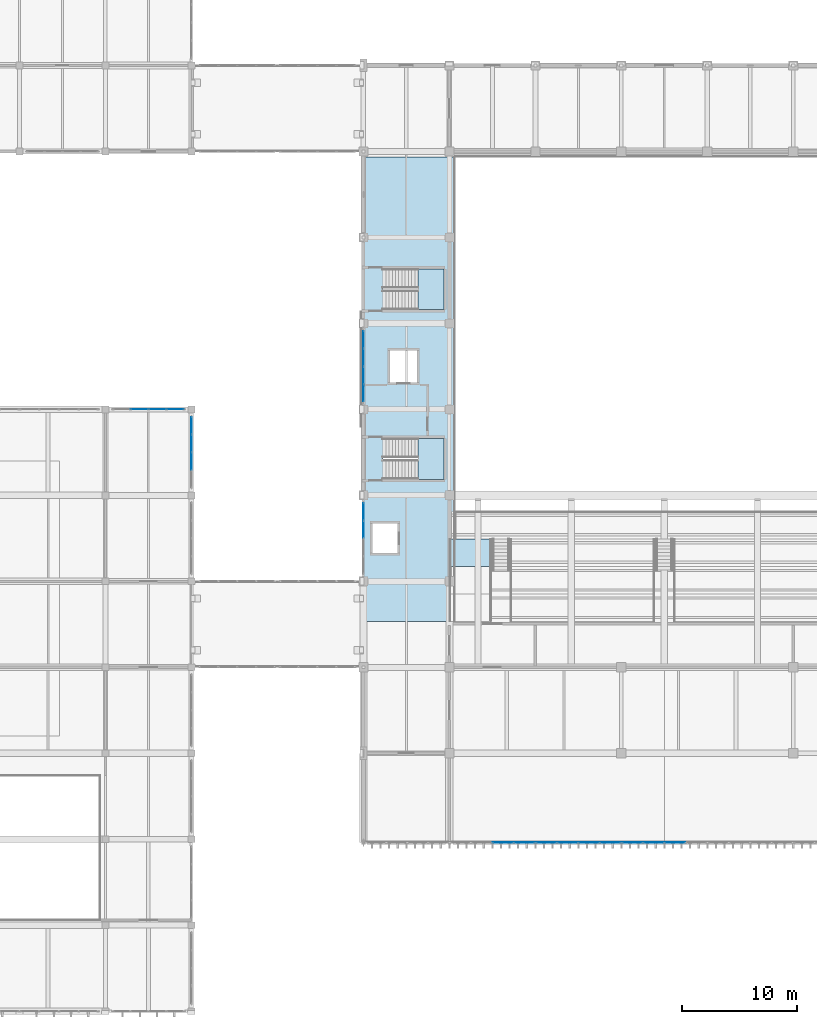
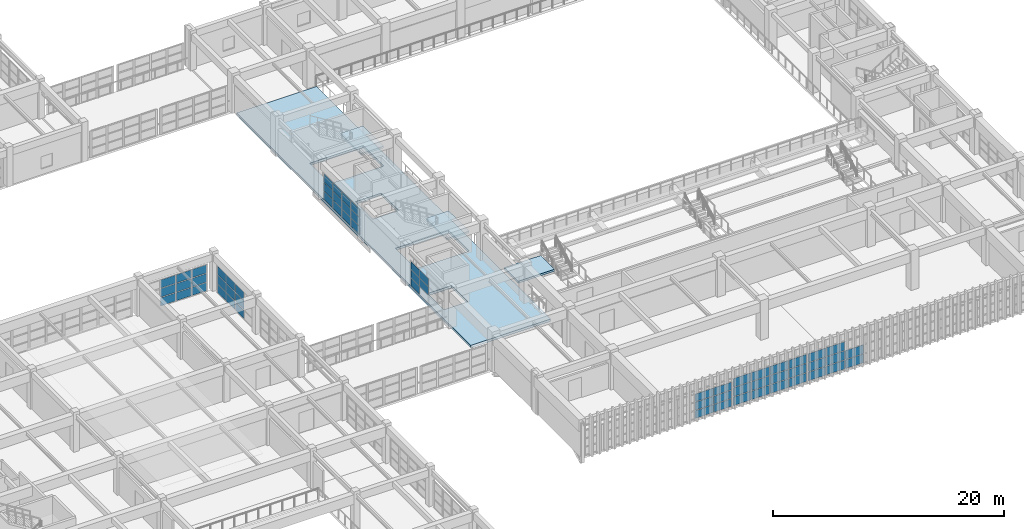
# One storey, part 80 of 124: 61 plates, 4 slabs, 9 elements without a shape of their own.
"""IFC4 building model written with IfcOpenShell, lengths in metres."""

import ifcopenshell
import ifcopenshell.guid

model = None  # the IFC model being written
_history = None  # IfcOwnerHistory: only IFC2X3 demands one
_inside = {}  # id of a spatial element -> (the spatial element, [elements in it])
_under = {}  # id of a project, library or spatial element -> (it, [spatial elements below it])
_declared = {}  # id of a project -> (the project, [libraries it declares])
_typed = {}  # id of a type object -> (the type object, [elements of that type])
_made_of = {}  # id of a material, layer set ... -> (it, [elements and type objects made of it])


def new_model(schema):
    """Start an empty IFC model of exactly this schema.

    Asked for "IFC4X3", IfcOpenShell would pick the latest addendum, in which some entities
    have other attributes; the version numbers below select the first issue.
    IFC2X3 requires an IfcOwnerHistory on every rooted entity: one is made here for all.
    """
    global model, _history
    if schema == "IFC4X3":
        model = ifcopenshell.file(schema_version=(4, 3, 0, 0))
    else:
        model = ifcopenshell.file(schema=schema)
    _inside.clear()
    _under.clear()
    _declared.clear()
    _typed.clear()
    _made_of.clear()
    _history = None
    if model.schema == "IFC2X3":
        org = make("IfcOrganization", Name="unknown")
        user = make(
            "IfcPersonAndOrganization",
            ThePerson=make("IfcPerson", FamilyName="unknown"),
            TheOrganization=org,
        )
        app = make(
            "IfcApplication",
            ApplicationDeveloper=org,
            Version="unknown",
            ApplicationFullName="unknown",
            ApplicationIdentifier="unknown",
        )
        _history = make(
            "IfcOwnerHistory",
            OwningUser=user,
            OwningApplication=app,
            ChangeAction="ADDED",
            CreationDate=0,
        )
    return model


def make(cls, **values):
    """One entity of the class cls with the attributes given. An attribute that is None is left unset."""
    return model.create_entity(
        cls, **{name: value for name, value in values.items() if value is not None}
    )


def rooted(cls, **values):
    """An entity with a GlobalId (a new one), such as an element, a storey or a relation."""
    return make(cls, GlobalId=ifcopenshell.guid.new(), OwnerHistory=_history, **values)


def si_unit(unit_type, name, prefix=None):
    """IfcSIUnit, for example si_unit("LENGTHUNIT", "METRE", prefix="MILLI")."""
    return make("IfcSIUnit", UnitType=unit_type, Prefix=prefix, Name=name)


def assignment(units):
    """IfcUnitAssignment: the units of a project."""
    return None if units is None else make("IfcUnitAssignment", Units=units)


def point(xyz):
    """IfcCartesianPoint."""
    return None if xyz is None else make("IfcCartesianPoint", Coordinates=xyz)


def direction(xyz):
    """IfcDirection."""
    return None if xyz is None else make("IfcDirection", DirectionRatios=xyz)


def frame(location, z_axis=None, x_axis=None):
    """IfcAxis2Placement3D, a coordinate frame: its origin and axes. An axis left out is left unset."""
    return make(
        "IfcAxis2Placement3D",
        Location=point(location),
        Axis=direction(z_axis),
        RefDirection=direction(x_axis),
    )


def frame_2d(location, x_axis=None):
    """IfcAxis2Placement2D, a coordinate frame in the plane: its origin and x axis."""
    return make(
        "IfcAxis2Placement2D", Location=point(location), RefDirection=direction(x_axis)
    )


def origin():
    """The frame at (0, 0, 0) with its axes left unset."""
    return frame((0.0, 0.0, 0.0))


def origin_2d():
    """The frame at (0, 0) in the plane with its x axis left unset."""
    return frame_2d((0.0, 0.0))


def place(relative_to, where):
    """IfcLocalPlacement: puts the frame where relative to a parent placement (None: the world)."""
    return make(
        "IfcLocalPlacement", PlacementRelTo=relative_to, RelativePlacement=where
    )


def context(
    kind, dimensions, precision=None, world=None, true_north=None, identifier=None
):
    """IfcGeometricRepresentationContext, for example the 3D "Model" context."""
    return make(
        "IfcGeometricRepresentationContext",
        ContextIdentifier=identifier,
        ContextType=kind,
        CoordinateSpaceDimension=dimensions,
        Precision=precision,
        WorldCoordinateSystem=world,
        TrueNorth=true_north,
    )


def subcontext(parent, identifier, kind, view, scale=None):
    """IfcGeometricRepresentationSubContext, for example "Body" below "Model"."""
    return make(
        "IfcGeometricRepresentationSubContext",
        ContextIdentifier=identifier,
        ContextType=kind,
        ParentContext=parent,
        TargetScale=scale,
        TargetView=view,
    )


def project(units=None, contexts=None):
    """IfcProject with its units and contexts."""
    return rooted(
        "IfcProject",
        Name="project",
        RepresentationContexts=contexts,
        UnitsInContext=assignment(units),
    )


def spatial(cls, under=None, at=None, **own):
    """A site, building, storey or space (cls), placed at a placement, below another one or the project."""
    s = rooted(cls, ObjectPlacement=at, **own)
    if under is not None:
        _under.setdefault(under.id(), (under, []))[1].append(s)
    return s


def polyline(points):
    """IfcPolyline through the points."""
    return make("IfcPolyline", Points=[point(p) for p in points])


def profile(cls, at=None, kind="AREA", **sizes):
    """A parametric profile (cls). Its sizes go by their IFC names, for example OverallWidth=200.0."""
    return make(cls, ProfileType=kind, Position=at, **sizes)


def rectangle(**sizes):
    """IfcRectangleProfileDef."""
    return profile("IfcRectangleProfileDef", **sizes)


def outline(outer, holes=None, kind="AREA"):
    """IfcArbitraryClosedProfileDef: a profile drawn as a closed curve; with holes, ...WithVoids."""
    if holes is None:
        return make("IfcArbitraryClosedProfileDef", ProfileType=kind, OuterCurve=outer)
    return make(
        "IfcArbitraryProfileDefWithVoids",
        ProfileType=kind,
        OuterCurve=outer,
        InnerCurves=holes,
    )


def extrude(swept, where, along, depth):
    """IfcExtrudedAreaSolid: the profile swept, set in the frame where, extruded along a direction by depth."""
    return make(
        "IfcExtrudedAreaSolid",
        SweptArea=swept,
        Position=where,
        ExtrudedDirection=direction(along),
        Depth=depth,
    )


def shape(context_of_items, identifier, shape_type, items):
    """IfcShapeRepresentation: the items that make up one representation, for example the "Body"."""
    return make(
        "IfcShapeRepresentation",
        ContextOfItems=context_of_items,
        RepresentationIdentifier=identifier,
        RepresentationType=shape_type,
        Items=items,
    )


def material(Name=None, Category=None):
    """IfcMaterial."""
    return make("IfcMaterial", Name=Name, Category=Category)


def layer(
    of_material, thickness, ventilated=None, Name=None, Category=None, Priority=None
):
    """IfcMaterialLayer: one layer of a wall or slab, of a material (None: an air gap)."""
    return make(
        "IfcMaterialLayer",
        Material=of_material,
        LayerThickness=thickness,
        IsVentilated=ventilated,
        Name=Name,
        Category=Category,
        Priority=Priority,
    )


def layer_set(layers, Name=None):
    """IfcMaterialLayerSet."""
    return make("IfcMaterialLayerSet", MaterialLayers=layers, LayerSetName=Name)


def made_of(thing, what):
    """Note that an element or type object is made of a material, layer set ...; save() writes the relation."""
    if what is not None:
        _made_of.setdefault(what.id(), (what, []))[1].append(thing)
    return thing


def type_object(cls, material=None, **own):
    """A type object (cls), such as IfcWallType, which elements share."""
    return made_of(rooted(cls, **own), material)


def element(
    cls,
    number,
    at=None,
    inside=None,
    cuts=None,
    type_object=None,
    material=None,
    context=None,
    identifier="Body",
    shape_type=None,
    held_by="IfcProductDefinitionShape",
    body=None,
    shapes=None,
    **own,
):
    """One element of the class cls, such as IfcWall. Its Tag is "e" and its number.

    at: its placement. inside: the storey or other place that contains it. cuts: it is an
    opening in that element (IfcRelVoidsElement). A single representation is given by context,
    identifier, shape_type and body (its items); several are given by shapes. held_by: the class
    of the entity that holds the representations. save() writes the other relations.
    """
    e = rooted(cls, Tag="e%d" % number, ObjectPlacement=at, **own)
    if body is not None:
        shapes = [shape(context, identifier, shape_type, body)]
    if shapes is not None:
        e.Representation = make(held_by, Representations=shapes)
    if inside is not None:
        _inside.setdefault(inside.id(), (inside, []))[1].append(e)
    if cuts is not None:
        rooted(
            "IfcRelVoidsElement", RelatingBuildingElement=cuts, RelatedOpeningElement=e
        )
    if type_object is not None:
        _typed.setdefault(type_object.id(), (type_object, []))[1].append(e)
    return made_of(e, material)


def aggregate(whole, parts):
    """IfcRelAggregates: a whole, such as a stair, and the parts it consists of."""
    return rooted("IfcRelAggregates", RelatingObject=whole, RelatedObjects=parts)


def save(model, path):
    """Write the relations noted so far, then the file.

    IfcRelAggregates (storeys below a building ...), IfcRelContainedInSpatialStructure (elements
    in a storey), IfcRelDefinesByType, IfcRelAssociatesMaterial and IfcRelDeclares: one each for
    every whole, place, type object, material and project.
    """
    for whole, parts in _under.values():
        aggregate(whole, parts)
    for where, things in _inside.values():
        rooted(
            "IfcRelContainedInSpatialStructure",
            RelatedElements=things,
            RelatingStructure=where,
        )
    for kind, things in _typed.values():
        rooted("IfcRelDefinesByType", RelatedObjects=things, RelatingType=kind)
    for what, things in _made_of.values():
        rooted("IfcRelAssociatesMaterial", RelatedObjects=things, RelatingMaterial=what)
    for by, libraries in _declared.values():
        rooted("IfcRelDeclares", RelatingContext=by, RelatedDefinitions=libraries)
    model.write(path)


model = new_model("IFC4")

# Units and contexts
model_context = context("Model", 3, precision=1e-05, world=origin(), true_north=direction((0.0, 1.0)))
body_context = subcontext(model_context, "Body", "Model", "MODEL_VIEW")
ifc_project = project(units=[si_unit("LENGTHUNIT", "METRE"), si_unit("AREAUNIT", "SQUARE_METRE"), si_unit("VOLUMEUNIT", "CUBIC_METRE"), si_unit("PLANEANGLEUNIT", "RADIAN"), si_unit("MASSUNIT", "GRAM", prefix="KILO")], contexts=[model_context])

# Site, building, storey
site_placement = place(None, origin())
site = spatial("IfcSite", under=ifc_project, at=site_placement, CompositionType="ELEMENT")
building_placement = place(site_placement, origin())
building = spatial("IfcBuilding", under=site, at=building_placement, Name="Qasida Concert Hall", CompositionType="ELEMENT")
storey_placement = place(building_placement, frame((0.0, 0.0, 9.0)))
storey = spatial("IfcBuildingStorey", under=building, at=storey_placement, Name="L02", CompositionType="ELEMENT", Elevation=9.0)

# Curtain wall, plates
ifc_material_1 = material(Name="Architectural bronze-anodized aluminium and low-E glass", Category="aluminium")
curtain_wall_type_1 = type_object("IfcCurtainWallType", Name="CW-03", PredefinedType="NOTDEFINED", material=ifc_material_1)
curtain_wall_1_placement = place(storey_placement, origin())
curtain_wall_1 = element("IfcCurtainWall", 1, at=curtain_wall_1_placement, inside=storey, type_object=curtain_wall_type_1, Name="L02 curtain wall CW-03 0009", PredefinedType="NOTDEFINED")
ifc_material_2 = material(Name="Solar-control low-E double glazing", Category="glass")
ifc_layer_1 = layer(ifc_material_2, 0.031982421875, Name="Solar-control low-E double glazing")
ifc_layer_set_1 = layer_set([ifc_layer_1], Name="Solar-control low-E double glazing")
plate_type_1 = type_object("IfcPlateType", Name="PLT-CWP-2", PredefinedType="CURTAIN_PANEL", material=ifc_layer_set_1)
plate_1_placement = place(storey_placement, frame((64.6826171875, 14.699951171875, 0.06005859375), z_axis=(0.0, 0.0, 1.0), x_axis=(1.0, 0.0, 0.0)))
plate_1 = element("IfcPlate", 2, at=plate_1_placement, type_object=plate_type_1, Name="CW-03 panel 3.1", PredefinedType="CURTAIN_PANEL", context=body_context, shape_type="SweptSolid", body=[
    extrude(rectangle(XDim=1.800048828125, YDim=0.031982421875, at=origin_2d()), origin(), (0.0, 0.0, 1.0), 0.806640625),
])
plate_2_placement = place(storey_placement, frame((64.6826171875, 14.699951171875, 0.9267578125), z_axis=(0.0, 0.0, 1.0), x_axis=(1.0, 0.0, 0.0)))
plate_2 = element("IfcPlate", 3, at=plate_2_placement, type_object=plate_type_1, Name="CW-03 panel 3.2", PredefinedType="CURTAIN_PANEL", context=body_context, shape_type="SweptSolid", body=[
    extrude(rectangle(XDim=1.800048828125, YDim=0.031982421875, at=origin_2d()), origin(), (0.0, 0.0, 1.0), 0.836669921875),
])
plate_3_placement = place(storey_placement, frame((64.6826171875, 14.699951171875, 1.8232421875), z_axis=(0.0, 0.0, 1.0), x_axis=(1.0, 0.0, 0.0)))
plate_3 = element("IfcPlate", 4, at=plate_3_placement, type_object=plate_type_1, Name="CW-03 panel 3.3", PredefinedType="CURTAIN_PANEL", context=body_context, shape_type="SweptSolid", body=[
    extrude(rectangle(XDim=1.800048828125, YDim=0.031982421875, at=origin_2d()), origin(), (0.0, 0.0, 1.0), 0.806640625),
])
plate_4_placement = place(storey_placement, frame((66.53125, 14.699951171875, 0.06005859375), z_axis=(0.0, 0.0, 1.0), x_axis=(1.0, 0.0, 0.0)))
plate_4 = element("IfcPlate", 5, at=plate_4_placement, type_object=plate_type_1, Name="CW-03 panel 4.1", PredefinedType="CURTAIN_PANEL", context=body_context, shape_type="SweptSolid", body=[
    extrude(rectangle(XDim=1.767578125, YDim=0.031982421875, at=origin_2d()), origin(), (0.0, 0.0, 1.0), 0.806640625),
])
plate_5_placement = place(storey_placement, frame((66.53125, 14.699951171875, 0.9267578125), z_axis=(0.0, 0.0, 1.0), x_axis=(1.0, 0.0, 0.0)))
plate_5 = element("IfcPlate", 6, at=plate_5_placement, type_object=plate_type_1, Name="CW-03 panel 4.2", PredefinedType="CURTAIN_PANEL", context=body_context, shape_type="SweptSolid", body=[
    extrude(rectangle(XDim=1.767578125, YDim=0.031982421875, at=origin_2d()), origin(), (0.0, 0.0, 1.0), 0.836669921875),
])
plate_6_placement = place(storey_placement, frame((66.53125, 14.699951171875, 1.8232421875), z_axis=(0.0, 0.0, 1.0), x_axis=(1.0, 0.0, 0.0)))
plate_6 = element("IfcPlate", 7, at=plate_6_placement, type_object=plate_type_1, Name="CW-03 panel 4.3", PredefinedType="CURTAIN_PANEL", context=body_context, shape_type="SweptSolid", body=[
    extrude(rectangle(XDim=1.767578125, YDim=0.031982421875, at=origin_2d()), origin(), (0.0, 0.0, 1.0), 0.806640625),
])
aggregate(curtain_wall_1, [plate_1, plate_2, plate_3, plate_4, plate_5, plate_6])

curtain_wall_2_placement = place(storey_placement, origin())
curtain_wall_2 = element("IfcCurtainWall", 8, at=curtain_wall_2_placement, inside=storey, type_object=curtain_wall_type_1, Name="L02 curtain wall CW-03 0010", PredefinedType="NOTDEFINED")
plate_7_placement = place(storey_placement, frame((68.46875, 14.699951171875, 0.06005859375), z_axis=(0.0, 0.0, 1.0), x_axis=(1.0, 0.0, 0.0)))
plate_7 = element("IfcPlate", 9, at=plate_7_placement, type_object=plate_type_1, Name="CW-03 panel 1.1", PredefinedType="CURTAIN_PANEL", context=body_context, shape_type="SweptSolid", body=[
    extrude(rectangle(XDim=1.767578125, YDim=0.031982421875, at=origin_2d()), origin(), (0.0, 0.0, 1.0), 0.90673828125),
])
plate_8_placement = place(storey_placement, frame((68.46875, 14.699951171875, 1.02685546875), z_axis=(0.0, 0.0, 1.0), x_axis=(1.0, 0.0, 0.0)))
plate_8 = element("IfcPlate", 10, at=plate_8_placement, type_object=plate_type_1, Name="CW-03 panel 1.2", PredefinedType="CURTAIN_PANEL", context=body_context, shape_type="SweptSolid", body=[
    extrude(rectangle(XDim=1.767578125, YDim=0.031982421875, at=origin_2d()), origin(), (0.0, 0.0, 1.0), 0.9365234375),
])
plate_9_placement = place(storey_placement, frame((68.46875, 14.699951171875, 2.023193359375), z_axis=(0.0, 0.0, 1.0), x_axis=(1.0, 0.0, 0.0)))
plate_9 = element("IfcPlate", 11, at=plate_9_placement, type_object=plate_type_1, Name="CW-03 panel 1.3", PredefinedType="CURTAIN_PANEL", context=body_context, shape_type="SweptSolid", body=[
    extrude(rectangle(XDim=1.767578125, YDim=0.031982421875, at=origin_2d()), origin(), (0.0, 0.0, 1.0), 0.90673828125),
])
plate_10_placement = place(storey_placement, frame((70.3173828125, 14.699951171875, 0.06005859375), z_axis=(0.0, 0.0, 1.0), x_axis=(1.0, 0.0, 0.0)))
plate_10 = element("IfcPlate", 12, at=plate_10_placement, type_object=plate_type_1, Name="CW-03 panel 2.1", PredefinedType="CURTAIN_PANEL", context=body_context, shape_type="SweptSolid", body=[
    extrude(rectangle(XDim=1.800048828125, YDim=0.031982421875, at=origin_2d()), origin(), (0.0, 0.0, 1.0), 0.90673828125),
])
plate_11_placement = place(storey_placement, frame((70.3173828125, 14.699951171875, 1.02685546875), z_axis=(0.0, 0.0, 1.0), x_axis=(1.0, 0.0, 0.0)))
plate_11 = element("IfcPlate", 13, at=plate_11_placement, type_object=plate_type_1, Name="CW-03 panel 2.2", PredefinedType="CURTAIN_PANEL", context=body_context, shape_type="SweptSolid", body=[
    extrude(rectangle(XDim=1.800048828125, YDim=0.031982421875, at=origin_2d()), origin(), (0.0, 0.0, 1.0), 0.9365234375),
])
plate_12_placement = place(storey_placement, frame((70.3173828125, 14.699951171875, 2.023193359375), z_axis=(0.0, 0.0, 1.0), x_axis=(1.0, 0.0, 0.0)))
plate_12 = element("IfcPlate", 14, at=plate_12_placement, type_object=plate_type_1, Name="CW-03 panel 2.3", PredefinedType="CURTAIN_PANEL", context=body_context, shape_type="SweptSolid", body=[
    extrude(rectangle(XDim=1.800048828125, YDim=0.031982421875, at=origin_2d()), origin(), (0.0, 0.0, 1.0), 0.90673828125),
])
plate_13_placement = place(storey_placement, frame((72.1826171875, 14.699951171875, 0.06005859375), z_axis=(0.0, 0.0, 1.0), x_axis=(1.0, 0.0, 0.0)))
plate_13 = element("IfcPlate", 15, at=plate_13_placement, type_object=plate_type_1, Name="CW-03 panel 3.1", PredefinedType="CURTAIN_PANEL", context=body_context, shape_type="SweptSolid", body=[
    extrude(rectangle(XDim=1.800048828125, YDim=0.031982421875, at=origin_2d()), origin(), (0.0, 0.0, 1.0), 0.90673828125),
])
plate_14_placement = place(storey_placement, frame((72.1826171875, 14.699951171875, 1.02685546875), z_axis=(0.0, 0.0, 1.0), x_axis=(1.0, 0.0, 0.0)))
plate_14 = element("IfcPlate", 16, at=plate_14_placement, type_object=plate_type_1, Name="CW-03 panel 3.2", PredefinedType="CURTAIN_PANEL", context=body_context, shape_type="SweptSolid", body=[
    extrude(rectangle(XDim=1.800048828125, YDim=0.031982421875, at=origin_2d()), origin(), (0.0, 0.0, 1.0), 0.9365234375),
])
plate_15_placement = place(storey_placement, frame((72.1826171875, 14.699951171875, 2.023193359375), z_axis=(0.0, 0.0, 1.0), x_axis=(1.0, 0.0, 0.0)))
plate_15 = element("IfcPlate", 17, at=plate_15_placement, type_object=plate_type_1, Name="CW-03 panel 3.3", PredefinedType="CURTAIN_PANEL", context=body_context, shape_type="SweptSolid", body=[
    extrude(rectangle(XDim=1.800048828125, YDim=0.031982421875, at=origin_2d()), origin(), (0.0, 0.0, 1.0), 0.90673828125),
])
plate_16_placement = place(storey_placement, frame((74.03125, 14.699951171875, 0.06005859375), z_axis=(0.0, 0.0, 1.0), x_axis=(1.0, 0.0, 0.0)))
plate_16 = element("IfcPlate", 18, at=plate_16_placement, type_object=plate_type_1, Name="CW-03 panel 4.1", PredefinedType="CURTAIN_PANEL", context=body_context, shape_type="SweptSolid", body=[
    extrude(rectangle(XDim=1.767578125, YDim=0.031982421875, at=origin_2d()), origin(), (0.0, 0.0, 1.0), 0.90673828125),
])
plate_17_placement = place(storey_placement, frame((74.03125, 14.699951171875, 1.02685546875), z_axis=(0.0, 0.0, 1.0), x_axis=(1.0, 0.0, 0.0)))
plate_17 = element("IfcPlate", 19, at=plate_17_placement, type_object=plate_type_1, Name="CW-03 panel 4.2", PredefinedType="CURTAIN_PANEL", context=body_context, shape_type="SweptSolid", body=[
    extrude(rectangle(XDim=1.767578125, YDim=0.031982421875, at=origin_2d()), origin(), (0.0, 0.0, 1.0), 0.9365234375),
])
plate_18_placement = place(storey_placement, frame((74.03125, 14.699951171875, 2.023193359375), z_axis=(0.0, 0.0, 1.0), x_axis=(1.0, 0.0, 0.0)))
plate_18 = element("IfcPlate", 20, at=plate_18_placement, type_object=plate_type_1, Name="CW-03 panel 4.3", PredefinedType="CURTAIN_PANEL", context=body_context, shape_type="SweptSolid", body=[
    extrude(rectangle(XDim=1.767578125, YDim=0.031982421875, at=origin_2d()), origin(), (0.0, 0.0, 1.0), 0.90673828125),
])
aggregate(curtain_wall_2, [plate_7, plate_8, plate_9, plate_10, plate_11, plate_12, plate_13, plate_14, plate_15, plate_16, plate_17, plate_18])

curtain_wall_3_placement = place(storey_placement, origin())
curtain_wall_3 = element("IfcCurtainWall", 21, at=curtain_wall_3_placement, inside=storey, type_object=curtain_wall_type_1, Name="L02 curtain wall CW-03 0011", PredefinedType="NOTDEFINED")
plate_19_placement = place(storey_placement, frame((75.96875, 14.699951171875, 0.06005859375), z_axis=(0.0, 0.0, 1.0), x_axis=(1.0, 0.0, 0.0)))
plate_19 = element("IfcPlate", 22, at=plate_19_placement, type_object=plate_type_1, Name="CW-03 panel 1.1", PredefinedType="CURTAIN_PANEL", context=body_context, shape_type="SweptSolid", body=[
    extrude(rectangle(XDim=1.767578125, YDim=0.031982421875, at=origin_2d()), origin(), (0.0, 0.0, 1.0), 0.90673828125),
])
plate_20_placement = place(storey_placement, frame((75.96875, 14.699951171875, 1.02685546875), z_axis=(0.0, 0.0, 1.0), x_axis=(1.0, 0.0, 0.0)))
plate_20 = element("IfcPlate", 23, at=plate_20_placement, type_object=plate_type_1, Name="CW-03 panel 1.2", PredefinedType="CURTAIN_PANEL", context=body_context, shape_type="SweptSolid", body=[
    extrude(rectangle(XDim=1.767578125, YDim=0.031982421875, at=origin_2d()), origin(), (0.0, 0.0, 1.0), 0.9365234375),
])
plate_21_placement = place(storey_placement, frame((75.96875, 14.699951171875, 2.023193359375), z_axis=(0.0, 0.0, 1.0), x_axis=(1.0, 0.0, 0.0)))
plate_21 = element("IfcPlate", 24, at=plate_21_placement, type_object=plate_type_1, Name="CW-03 panel 1.3", PredefinedType="CURTAIN_PANEL", context=body_context, shape_type="SweptSolid", body=[
    extrude(rectangle(XDim=1.767578125, YDim=0.031982421875, at=origin_2d()), origin(), (0.0, 0.0, 1.0), 0.90673828125),
])
plate_22_placement = place(storey_placement, frame((77.8173828125, 14.699951171875, 0.06005859375), z_axis=(0.0, 0.0, 1.0), x_axis=(1.0, 0.0, 0.0)))
plate_22 = element("IfcPlate", 25, at=plate_22_placement, type_object=plate_type_1, Name="CW-03 panel 2.1", PredefinedType="CURTAIN_PANEL", context=body_context, shape_type="SweptSolid", body=[
    extrude(rectangle(XDim=1.800048828125, YDim=0.031982421875, at=origin_2d()), origin(), (0.0, 0.0, 1.0), 0.90673828125),
])
plate_23_placement = place(storey_placement, frame((77.8173828125, 14.699951171875, 1.02685546875), z_axis=(0.0, 0.0, 1.0), x_axis=(1.0, 0.0, 0.0)))
plate_23 = element("IfcPlate", 26, at=plate_23_placement, type_object=plate_type_1, Name="CW-03 panel 2.2", PredefinedType="CURTAIN_PANEL", context=body_context, shape_type="SweptSolid", body=[
    extrude(rectangle(XDim=1.800048828125, YDim=0.031982421875, at=origin_2d()), origin(), (0.0, 0.0, 1.0), 0.9365234375),
])
plate_24_placement = place(storey_placement, frame((77.8173828125, 14.699951171875, 2.023193359375), z_axis=(0.0, 0.0, 1.0), x_axis=(1.0, 0.0, 0.0)))
plate_24 = element("IfcPlate", 27, at=plate_24_placement, type_object=plate_type_1, Name="CW-03 panel 2.3", PredefinedType="CURTAIN_PANEL", context=body_context, shape_type="SweptSolid", body=[
    extrude(rectangle(XDim=1.800048828125, YDim=0.031982421875, at=origin_2d()), origin(), (0.0, 0.0, 1.0), 0.90673828125),
])
plate_25_placement = place(storey_placement, frame((79.6826171875, 14.699951171875, 0.06005859375), z_axis=(0.0, 0.0, 1.0), x_axis=(1.0, 0.0, 0.0)))
plate_25 = element("IfcPlate", 28, at=plate_25_placement, type_object=plate_type_1, Name="CW-03 panel 3.1", PredefinedType="CURTAIN_PANEL", context=body_context, shape_type="SweptSolid", body=[
    extrude(rectangle(XDim=1.800048828125, YDim=0.031982421875, at=origin_2d()), origin(), (0.0, 0.0, 1.0), 0.90673828125),
])
plate_26_placement = place(storey_placement, frame((79.6826171875, 14.699951171875, 1.02685546875), z_axis=(0.0, 0.0, 1.0), x_axis=(1.0, 0.0, 0.0)))
plate_26 = element("IfcPlate", 29, at=plate_26_placement, type_object=plate_type_1, Name="CW-03 panel 3.2", PredefinedType="CURTAIN_PANEL", context=body_context, shape_type="SweptSolid", body=[
    extrude(rectangle(XDim=1.800048828125, YDim=0.031982421875, at=origin_2d()), origin(), (0.0, 0.0, 1.0), 0.9365234375),
])
aggregate(curtain_wall_3, [plate_19, plate_20, plate_21, plate_22, plate_23, plate_24, plate_25, plate_26])

curtain_wall_4_placement = place(storey_placement, origin())
curtain_wall_4 = element("IfcCurtainWall", 30, at=curtain_wall_4_placement, inside=storey, type_object=curtain_wall_type_1, Name="L02 curtain wall CW-03 0047", PredefinedType="NOTDEFINED")
plate_27_placement = place(storey_placement, frame((52.5, 42.032470703125, 0.9267578125), z_axis=(0.0, 0.0, 1.0), x_axis=(0.0, 1.0, 0.0)))
plate_27 = element("IfcPlate", 31, at=plate_27_placement, type_object=plate_type_1, Name="CW-03 panel 3.2", PredefinedType="CURTAIN_PANEL", context=body_context, shape_type="SweptSolid", body=[
    extrude(rectangle(XDim=1.5, YDim=0.031982421875, at=origin_2d()), origin(), (0.0, 0.0, 1.0), 0.836669921875),
])
plate_28_placement = place(storey_placement, frame((52.5, 42.032470703125, 1.8232421875), z_axis=(0.0, 0.0, 1.0), x_axis=(0.0, 1.0, 0.0)))
plate_28 = element("IfcPlate", 32, at=plate_28_placement, type_object=plate_type_1, Name="CW-03 panel 3.3", PredefinedType="CURTAIN_PANEL", context=body_context, shape_type="SweptSolid", body=[
    extrude(rectangle(XDim=1.5, YDim=0.031982421875, at=origin_2d()), origin(), (0.0, 0.0, 1.0), 0.806640625),
])
plate_29_placement = place(storey_placement, frame((52.5, 43.581298828125, 0.06005859375), z_axis=(0.0, 0.0, 1.0), x_axis=(0.0, 1.0, 0.0)))
plate_29 = element("IfcPlate", 33, at=plate_29_placement, type_object=plate_type_1, Name="CW-03 panel 4.1", PredefinedType="CURTAIN_PANEL", context=body_context, shape_type="SweptSolid", body=[
    extrude(rectangle(XDim=1.467529296875, YDim=0.031982421875, at=origin_2d()), origin(), (0.0, 0.0, 1.0), 0.806640625),
])
plate_30_placement = place(storey_placement, frame((52.5, 43.581298828125, 0.9267578125), z_axis=(0.0, 0.0, 1.0), x_axis=(0.0, 1.0, 0.0)))
plate_30 = element("IfcPlate", 34, at=plate_30_placement, type_object=plate_type_1, Name="CW-03 panel 4.2", PredefinedType="CURTAIN_PANEL", context=body_context, shape_type="SweptSolid", body=[
    extrude(rectangle(XDim=1.467529296875, YDim=0.031982421875, at=origin_2d()), origin(), (0.0, 0.0, 1.0), 0.836669921875),
])
plate_31_placement = place(storey_placement, frame((52.5, 43.581298828125, 1.8232421875), z_axis=(0.0, 0.0, 1.0), x_axis=(0.0, 1.0, 0.0)))
plate_31 = element("IfcPlate", 35, at=plate_31_placement, type_object=plate_type_1, Name="CW-03 panel 4.3", PredefinedType="CURTAIN_PANEL", context=body_context, shape_type="SweptSolid", body=[
    extrude(rectangle(XDim=1.467529296875, YDim=0.031982421875, at=origin_2d()), origin(), (0.0, 0.0, 1.0), 0.806640625),
])
aggregate(curtain_wall_4, [plate_27, plate_28, plate_29, plate_30, plate_31])

curtain_wall_5_placement = place(storey_placement, origin())
curtain_wall_5 = element("IfcCurtainWall", 36, at=curtain_wall_5_placement, inside=storey, type_object=curtain_wall_type_1, Name="L02 curtain wall CW-03 0049", PredefinedType="NOTDEFINED")
plate_32_placement = place(storey_placement, frame((52.5, 53.918701171875, 0.06005859375), z_axis=(0.0, 0.0, 1.0), x_axis=(0.0, 1.0, 0.0)))
plate_32 = element("IfcPlate", 37, at=plate_32_placement, type_object=plate_type_1, Name="CW-03 panel 1.1", PredefinedType="CURTAIN_PANEL", context=body_context, shape_type="SweptSolid", body=[
    extrude(rectangle(XDim=1.467529296875, YDim=0.031982421875, at=origin_2d()), origin(), (0.0, 0.0, 1.0), 0.85009765625),
])
plate_33_placement = place(storey_placement, frame((52.5, 53.918701171875, 0.969970703125), z_axis=(0.0, 0.0, 1.0), x_axis=(0.0, 1.0, 0.0)))
plate_33 = element("IfcPlate", 38, at=plate_33_placement, type_object=plate_type_1, Name="CW-03 panel 1.2", PredefinedType="CURTAIN_PANEL", context=body_context, shape_type="SweptSolid", body=[
    extrude(rectangle(XDim=1.467529296875, YDim=0.031982421875, at=origin_2d()), origin(), (0.0, 0.0, 1.0), 0.8798828125),
])
plate_34_placement = place(storey_placement, frame((52.5, 53.918701171875, 1.909912109375), z_axis=(0.0, 0.0, 1.0), x_axis=(0.0, 1.0, 0.0)))
plate_34 = element("IfcPlate", 39, at=plate_34_placement, type_object=plate_type_1, Name="CW-03 panel 1.3", PredefinedType="CURTAIN_PANEL", context=body_context, shape_type="SweptSolid", body=[
    extrude(rectangle(XDim=1.467529296875, YDim=0.031982421875, at=origin_2d()), origin(), (0.0, 0.0, 1.0), 0.85009765625),
])
plate_35_placement = place(storey_placement, frame((52.5, 55.467529296875, 0.06005859375), z_axis=(0.0, 0.0, 1.0), x_axis=(0.0, 1.0, 0.0)))
plate_35 = element("IfcPlate", 40, at=plate_35_placement, type_object=plate_type_1, Name="CW-03 panel 2.1", PredefinedType="CURTAIN_PANEL", context=body_context, shape_type="SweptSolid", body=[
    extrude(rectangle(XDim=1.5, YDim=0.031982421875, at=origin_2d()), origin(), (0.0, 0.0, 1.0), 0.85009765625),
])
plate_36_placement = place(storey_placement, frame((52.5, 55.467529296875, 0.969970703125), z_axis=(0.0, 0.0, 1.0), x_axis=(0.0, 1.0, 0.0)))
plate_36 = element("IfcPlate", 41, at=plate_36_placement, type_object=plate_type_1, Name="CW-03 panel 2.2", PredefinedType="CURTAIN_PANEL", context=body_context, shape_type="SweptSolid", body=[
    extrude(rectangle(XDim=1.5, YDim=0.031982421875, at=origin_2d()), origin(), (0.0, 0.0, 1.0), 0.8798828125),
])
plate_37_placement = place(storey_placement, frame((52.5, 55.467529296875, 1.909912109375), z_axis=(0.0, 0.0, 1.0), x_axis=(0.0, 1.0, 0.0)))
plate_37 = element("IfcPlate", 42, at=plate_37_placement, type_object=plate_type_1, Name="CW-03 panel 2.3", PredefinedType="CURTAIN_PANEL", context=body_context, shape_type="SweptSolid", body=[
    extrude(rectangle(XDim=1.5, YDim=0.031982421875, at=origin_2d()), origin(), (0.0, 0.0, 1.0), 0.85009765625),
])
plate_38_placement = place(storey_placement, frame((52.5, 57.032470703125, 0.06005859375), z_axis=(0.0, 0.0, 1.0), x_axis=(0.0, 1.0, 0.0)))
plate_38 = element("IfcPlate", 43, at=plate_38_placement, type_object=plate_type_1, Name="CW-03 panel 3.1", PredefinedType="CURTAIN_PANEL", context=body_context, shape_type="SweptSolid", body=[
    extrude(rectangle(XDim=1.5, YDim=0.031982421875, at=origin_2d()), origin(), (0.0, 0.0, 1.0), 0.85009765625),
])
plate_39_placement = place(storey_placement, frame((52.5, 57.032470703125, 0.969970703125), z_axis=(0.0, 0.0, 1.0), x_axis=(0.0, 1.0, 0.0)))
plate_39 = element("IfcPlate", 44, at=plate_39_placement, type_object=plate_type_1, Name="CW-03 panel 3.2", PredefinedType="CURTAIN_PANEL", context=body_context, shape_type="SweptSolid", body=[
    extrude(rectangle(XDim=1.5, YDim=0.031982421875, at=origin_2d()), origin(), (0.0, 0.0, 1.0), 0.8798828125),
])
plate_40_placement = place(storey_placement, frame((52.5, 57.032470703125, 1.909912109375), z_axis=(0.0, 0.0, 1.0), x_axis=(0.0, 1.0, 0.0)))
plate_40 = element("IfcPlate", 45, at=plate_40_placement, type_object=plate_type_1, Name="CW-03 panel 3.3", PredefinedType="CURTAIN_PANEL", context=body_context, shape_type="SweptSolid", body=[
    extrude(rectangle(XDim=1.5, YDim=0.031982421875, at=origin_2d()), origin(), (0.0, 0.0, 1.0), 0.85009765625),
])
plate_41_placement = place(storey_placement, frame((52.5, 58.581298828125, 0.06005859375), z_axis=(0.0, 0.0, 1.0), x_axis=(0.0, 1.0, 0.0)))
plate_41 = element("IfcPlate", 46, at=plate_41_placement, type_object=plate_type_1, Name="CW-03 panel 4.1", PredefinedType="CURTAIN_PANEL", context=body_context, shape_type="SweptSolid", body=[
    extrude(rectangle(XDim=1.467529296875, YDim=0.031982421875, at=origin_2d()), origin(), (0.0, 0.0, 1.0), 0.85009765625),
])
plate_42_placement = place(storey_placement, frame((52.5, 58.581298828125, 0.969970703125), z_axis=(0.0, 0.0, 1.0), x_axis=(0.0, 1.0, 0.0)))
plate_42 = element("IfcPlate", 47, at=plate_42_placement, type_object=plate_type_1, Name="CW-03 panel 4.2", PredefinedType="CURTAIN_PANEL", context=body_context, shape_type="SweptSolid", body=[
    extrude(rectangle(XDim=1.467529296875, YDim=0.031982421875, at=origin_2d()), origin(), (0.0, 0.0, 1.0), 0.8798828125),
])
plate_43_placement = place(storey_placement, frame((52.5, 58.581298828125, 1.909912109375), z_axis=(0.0, 0.0, 1.0), x_axis=(0.0, 1.0, 0.0)))
plate_43 = element("IfcPlate", 48, at=plate_43_placement, type_object=plate_type_1, Name="CW-03 panel 4.3", PredefinedType="CURTAIN_PANEL", context=body_context, shape_type="SweptSolid", body=[
    extrude(rectangle(XDim=1.467529296875, YDim=0.031982421875, at=origin_2d()), origin(), (0.0, 0.0, 1.0), 0.85009765625),
])
aggregate(curtain_wall_5, [plate_32, plate_33, plate_34, plate_35, plate_36, plate_37, plate_38, plate_39, plate_40, plate_41, plate_42, plate_43])

curtain_wall_type_2 = type_object("IfcCurtainWallType", Name="CW-08", PredefinedType="NOTDEFINED", material=ifc_material_1)
curtain_wall_6_placement = place(storey_placement, origin())
curtain_wall_6 = element("IfcCurtainWall", 49, at=curtain_wall_6_placement, inside=storey, type_object=curtain_wall_type_2, Name="L02 curtain wall CW-08 0108", PredefinedType="NOTDEFINED")
ifc_layer_2 = layer(ifc_material_2, 0.02392578125, Name="Solar-control low-E double glazing")
ifc_layer_set_2 = layer_set([ifc_layer_2], Name="Solar-control low-E double glazing")
plate_type_2 = type_object("IfcPlateType", Name="PLT-CWP-5", PredefinedType="CURTAIN_PANEL", material=ifc_layer_set_2)
plate_44_placement = place(storey_placement, frame((32.967529296875, 52.5, 0.06005859375), z_axis=(0.0, 0.0, 1.0), x_axis=(1.0, 0.0, 0.0)))
plate_44 = element("IfcPlate", 50, at=plate_44_placement, type_object=plate_type_2, Name="CW-08 panel 2.1", PredefinedType="CURTAIN_PANEL", context=body_context, shape_type="SweptSolid", body=[
    extrude(rectangle(XDim=1.5, YDim=0.02392578125, at=origin_2d()), origin(), (0.0, 0.0, 1.0), 0.86669921875),
])
plate_45_placement = place(storey_placement, frame((32.967529296875, 52.5, 0.98681640625), z_axis=(0.0, 0.0, 1.0), x_axis=(1.0, 0.0, 0.0)))
plate_45 = element("IfcPlate", 51, at=plate_45_placement, type_object=plate_type_2, Name="CW-08 panel 2.2", PredefinedType="CURTAIN_PANEL", context=body_context, shape_type="SweptSolid", body=[
    extrude(rectangle(XDim=1.5, YDim=0.02392578125, at=origin_2d()), origin(), (0.0, 0.0, 1.0), 0.896484375),
])
plate_46_placement = place(storey_placement, frame((32.967529296875, 52.5, 1.943359375), z_axis=(0.0, 0.0, 1.0), x_axis=(1.0, 0.0, 0.0)))
plate_46 = element("IfcPlate", 52, at=plate_46_placement, type_object=plate_type_2, Name="CW-08 panel 2.3", PredefinedType="CURTAIN_PANEL", context=body_context, shape_type="SweptSolid", body=[
    extrude(rectangle(XDim=1.5, YDim=0.02392578125, at=origin_2d()), origin(), (0.0, 0.0, 1.0), 0.86669921875),
])
plate_47_placement = place(storey_placement, frame((34.532470703125, 52.5, 0.06005859375), z_axis=(0.0, 0.0, 1.0), x_axis=(1.0, 0.0, 0.0)))
plate_47 = element("IfcPlate", 53, at=plate_47_placement, type_object=plate_type_2, Name="CW-08 panel 3.1", PredefinedType="CURTAIN_PANEL", context=body_context, shape_type="SweptSolid", body=[
    extrude(rectangle(XDim=1.5, YDim=0.02392578125, at=origin_2d()), origin(), (0.0, 0.0, 1.0), 0.86669921875),
])
plate_48_placement = place(storey_placement, frame((34.532470703125, 52.5, 0.98681640625), z_axis=(0.0, 0.0, 1.0), x_axis=(1.0, 0.0, 0.0)))
plate_48 = element("IfcPlate", 54, at=plate_48_placement, type_object=plate_type_2, Name="CW-08 panel 3.2", PredefinedType="CURTAIN_PANEL", context=body_context, shape_type="SweptSolid", body=[
    extrude(rectangle(XDim=1.5, YDim=0.02392578125, at=origin_2d()), origin(), (0.0, 0.0, 1.0), 0.896484375),
])
plate_49_placement = place(storey_placement, frame((34.532470703125, 52.5, 1.943359375), z_axis=(0.0, 0.0, 1.0), x_axis=(1.0, 0.0, 0.0)))
plate_49 = element("IfcPlate", 55, at=plate_49_placement, type_object=plate_type_2, Name="CW-08 panel 3.3", PredefinedType="CURTAIN_PANEL", context=body_context, shape_type="SweptSolid", body=[
    extrude(rectangle(XDim=1.5, YDim=0.02392578125, at=origin_2d()), origin(), (0.0, 0.0, 1.0), 0.86669921875),
])
plate_50_placement = place(storey_placement, frame((36.081298828125, 52.5, 0.06005859375), z_axis=(0.0, 0.0, 1.0), x_axis=(1.0, 0.0, 0.0)))
plate_50 = element("IfcPlate", 56, at=plate_50_placement, type_object=plate_type_2, Name="CW-08 panel 4.1", PredefinedType="CURTAIN_PANEL", context=body_context, shape_type="SweptSolid", body=[
    extrude(rectangle(XDim=1.467529296875, YDim=0.02392578125, at=origin_2d()), origin(), (0.0, 0.0, 1.0), 0.86669921875),
])
plate_51_placement = place(storey_placement, frame((36.081298828125, 52.5, 0.98681640625), z_axis=(0.0, 0.0, 1.0), x_axis=(1.0, 0.0, 0.0)))
plate_51 = element("IfcPlate", 57, at=plate_51_placement, type_object=plate_type_2, Name="CW-08 panel 4.2", PredefinedType="CURTAIN_PANEL", context=body_context, shape_type="SweptSolid", body=[
    extrude(rectangle(XDim=1.467529296875, YDim=0.02392578125, at=origin_2d()), origin(), (0.0, 0.0, 1.0), 0.896484375),
])
plate_52_placement = place(storey_placement, frame((36.081298828125, 52.5, 1.943359375), z_axis=(0.0, 0.0, 1.0), x_axis=(1.0, 0.0, 0.0)))
plate_52 = element("IfcPlate", 58, at=plate_52_placement, type_object=plate_type_2, Name="CW-08 panel 4.3", PredefinedType="CURTAIN_PANEL", context=body_context, shape_type="SweptSolid", body=[
    extrude(rectangle(XDim=1.467529296875, YDim=0.02392578125, at=origin_2d()), origin(), (0.0, 0.0, 1.0), 0.86669921875),
])
aggregate(curtain_wall_6, [plate_44, plate_45, plate_46, plate_47, plate_48, plate_49, plate_50, plate_51, plate_52])

curtain_wall_7_placement = place(storey_placement, origin())
curtain_wall_7 = element("IfcCurtainWall", 59, at=curtain_wall_7_placement, inside=storey, type_object=curtain_wall_type_2, Name="L02 curtain wall CW-08 0116", PredefinedType="NOTDEFINED")
plate_53_placement = place(storey_placement, frame((37.5, 47.967529296875, 0.06005859375), z_axis=(0.0, 0.0, 1.0), x_axis=(0.0, 1.0, 0.0)))
plate_53 = element("IfcPlate", 60, at=plate_53_placement, type_object=plate_type_2, Name="CW-08 panel 2.1", PredefinedType="CURTAIN_PANEL", context=body_context, shape_type="SweptSolid", body=[
    extrude(rectangle(XDim=1.5, YDim=0.02392578125, at=origin_2d()), origin(), (0.0, 0.0, 1.0), 0.88330078125),
])
plate_54_placement = place(storey_placement, frame((37.5, 47.967529296875, 1.00341796875), z_axis=(0.0, 0.0, 1.0), x_axis=(0.0, 1.0, 0.0)))
plate_54 = element("IfcPlate", 61, at=plate_54_placement, type_object=plate_type_2, Name="CW-08 panel 2.2", PredefinedType="CURTAIN_PANEL", context=body_context, shape_type="SweptSolid", body=[
    extrude(rectangle(XDim=1.5, YDim=0.02392578125, at=origin_2d()), origin(), (0.0, 0.0, 1.0), 0.913330078125),
])
plate_55_placement = place(storey_placement, frame((37.5, 47.967529296875, 1.976806640625), z_axis=(0.0, 0.0, 1.0), x_axis=(0.0, 1.0, 0.0)))
plate_55 = element("IfcPlate", 62, at=plate_55_placement, type_object=plate_type_2, Name="CW-08 panel 2.3", PredefinedType="CURTAIN_PANEL", context=body_context, shape_type="SweptSolid", body=[
    extrude(rectangle(XDim=1.5, YDim=0.02392578125, at=origin_2d()), origin(), (0.0, 0.0, 1.0), 0.88330078125),
])
plate_56_placement = place(storey_placement, frame((37.5, 49.532470703125, 0.06005859375), z_axis=(0.0, 0.0, 1.0), x_axis=(0.0, 1.0, 0.0)))
plate_56 = element("IfcPlate", 63, at=plate_56_placement, type_object=plate_type_2, Name="CW-08 panel 3.1", PredefinedType="CURTAIN_PANEL", context=body_context, shape_type="SweptSolid", body=[
    extrude(rectangle(XDim=1.5, YDim=0.02392578125, at=origin_2d()), origin(), (0.0, 0.0, 1.0), 0.88330078125),
])
plate_57_placement = place(storey_placement, frame((37.5, 49.532470703125, 1.00341796875), z_axis=(0.0, 0.0, 1.0), x_axis=(0.0, 1.0, 0.0)))
plate_57 = element("IfcPlate", 64, at=plate_57_placement, type_object=plate_type_2, Name="CW-08 panel 3.2", PredefinedType="CURTAIN_PANEL", context=body_context, shape_type="SweptSolid", body=[
    extrude(rectangle(XDim=1.5, YDim=0.02392578125, at=origin_2d()), origin(), (0.0, 0.0, 1.0), 0.913330078125),
])
plate_58_placement = place(storey_placement, frame((37.5, 49.532470703125, 1.976806640625), z_axis=(0.0, 0.0, 1.0), x_axis=(0.0, 1.0, 0.0)))
plate_58 = element("IfcPlate", 65, at=plate_58_placement, type_object=plate_type_2, Name="CW-08 panel 3.3", PredefinedType="CURTAIN_PANEL", context=body_context, shape_type="SweptSolid", body=[
    extrude(rectangle(XDim=1.5, YDim=0.02392578125, at=origin_2d()), origin(), (0.0, 0.0, 1.0), 0.88330078125),
])
plate_59_placement = place(storey_placement, frame((37.5, 51.081298828125, 0.06005859375), z_axis=(0.0, 0.0, 1.0), x_axis=(0.0, 1.0, 0.0)))
plate_59 = element("IfcPlate", 66, at=plate_59_placement, type_object=plate_type_2, Name="CW-08 panel 4.1", PredefinedType="CURTAIN_PANEL", context=body_context, shape_type="SweptSolid", body=[
    extrude(rectangle(XDim=1.467529296875, YDim=0.02392578125, at=origin_2d()), origin(), (0.0, 0.0, 1.0), 0.88330078125),
])
plate_60_placement = place(storey_placement, frame((37.5, 51.081298828125, 1.00341796875), z_axis=(0.0, 0.0, 1.0), x_axis=(0.0, 1.0, 0.0)))
plate_60 = element("IfcPlate", 67, at=plate_60_placement, type_object=plate_type_2, Name="CW-08 panel 4.2", PredefinedType="CURTAIN_PANEL", context=body_context, shape_type="SweptSolid", body=[
    extrude(rectangle(XDim=1.467529296875, YDim=0.02392578125, at=origin_2d()), origin(), (0.0, 0.0, 1.0), 0.913330078125),
])
plate_61_placement = place(storey_placement, frame((37.5, 51.081298828125, 1.976806640625), z_axis=(0.0, 0.0, 1.0), x_axis=(0.0, 1.0, 0.0)))
plate_61 = element("IfcPlate", 68, at=plate_61_placement, type_object=plate_type_2, Name="CW-08 panel 4.3", PredefinedType="CURTAIN_PANEL", context=body_context, shape_type="SweptSolid", body=[
    extrude(rectangle(XDim=1.467529296875, YDim=0.02392578125, at=origin_2d()), origin(), (0.0, 0.0, 1.0), 0.88330078125),
])
aggregate(curtain_wall_7, [plate_53, plate_54, plate_55, plate_56, plate_57, plate_58, plate_59, plate_60, plate_61])

# Slab
ifc_material_3 = material(Name="Concrete C40/50", Category="concrete")
ifc_layer_3 = layer(ifc_material_3, 0.260009765625, Name="Concrete C40/50")
ifc_layer_set_3 = layer_set([ifc_layer_3], Name="Concrete C40/50")
slab_type_1 = type_object("IfcSlabType", Name="SL-FS-260", PredefinedType="FLOOR", material=ifc_layer_set_3)
slab_1_placement = place(storey_placement, frame((0.0, 0.0, -0.260009765625)))
element("IfcSlab", 69, at=slab_1_placement, inside=storey, type_object=slab_type_1, Name="V1 first balcony west gallery (FS-260)", PredefinedType="FLOOR", context=body_context, shape_type="SweptSolid", body=[
    extrude(outline(polyline([(52.5, 34.0), (60.5, 34.0), (60.5, 74.5), (52.5, 74.5), (52.5, 34.0)]), holes=[polyline([(53.199951171875, 39.85009765625), (55.60009765625, 39.85009765625), (55.60009765625, 42.64990234375), (53.199951171875, 42.64990234375), (53.199951171875, 39.85009765625)]), polyline([(54.18994140625, 46.39990234375), (59.52001953125, 46.39990234375), (59.52001953125, 49.9599609375), (54.18994140625, 49.9599609375), (54.18994140625, 46.39990234375)]), polyline([(54.699951171875, 54.75), (57.300048828125, 54.75), (57.300048828125, 57.75), (54.699951171875, 57.75), (54.699951171875, 54.75)]), polyline([(54.18994140625, 61.199951171875), (59.52001953125, 61.199951171875), (59.52001953125, 64.760009765625), (54.18994140625, 64.760009765625), (54.18994140625, 61.199951171875)])]), origin(), (0.0, 0.0, 1.0), 0.260009765625),
])

# Stair, slab
stair_type = type_object("IfcStairType", Name="ST-DL-168", PredefinedType="HALF_TURN_STAIR", material=ifc_material_3)
stair_1_placement = place(storey_placement, origin())
stair_1 = element("IfcStair", 70, at=stair_1_placement, inside=storey, type_object=stair_type, Name="L02 Exit stair ST-01", PredefinedType="HALF_TURN_STAIR")
ifc_layer_4 = layer(ifc_material_3, 0.199951171875, Name="Concrete C40/50")
ifc_layer_set_4 = layer_set([ifc_layer_4], Name="Concrete C40/50")
slab_type_2 = type_object("IfcSlabType", Name="SL-LND-200", PredefinedType="LANDING", material=ifc_layer_set_4)
slab_2_placement = place(storey_placement, frame((0.0, 0.0, 1.89990234375)))
slab_2 = element("IfcSlab", 71, at=slab_2_placement, type_object=slab_type_2, Name="ST-01 landing 1", PredefinedType="LANDING", context=body_context, shape_type="SweptSolid", body=[
    extrude(outline(polyline([(57.260009765625, 46.39990234375), (59.52001953125, 46.39990234375), (59.52001953125, 49.9599609375), (57.260009765625, 49.9599609375), (57.260009765625, 46.39990234375)])), origin(), (0.0, 0.0, 1.0), 0.2001953125),
])
aggregate(stair_1, [slab_2])

stair_2_placement = place(storey_placement, origin())
stair_2 = element("IfcStair", 72, at=stair_2_placement, inside=storey, type_object=stair_type, Name="L02 Exit stair ST-11", PredefinedType="HALF_TURN_STAIR")
slab_3_placement = place(storey_placement, frame((0.0, 0.0, 1.89990234375)))
slab_3 = element("IfcSlab", 73, at=slab_3_placement, type_object=slab_type_2, Name="ST-11 landing 1", PredefinedType="LANDING", context=body_context, shape_type="SweptSolid", body=[
    extrude(outline(polyline([(57.260009765625, 61.199951171875), (59.52001953125, 61.199951171875), (59.52001953125, 64.760009765625), (57.260009765625, 64.760009765625), (57.260009765625, 61.199951171875)])), origin(), (0.0, 0.0, 1.0), 0.2001953125),
])
aggregate(stair_2, [slab_3])

# Slab
ifc_layer_5 = layer(ifc_material_3, 0.219970703125, Name="Concrete C40/50")
ifc_layer_set_5 = layer_set([ifc_layer_5], Name="Concrete C40/50")
slab_type_3 = type_object("IfcSlabType", Name="SL-ST-TIER-220", PredefinedType="USERDEFINED", material=ifc_layer_set_5)
slab_4_placement = place(storey_placement, frame((0.0, 0.0, 1.017578125)))
element("IfcSlab", 74, at=slab_4_placement, inside=storey, type_object=slab_type_3, Name="Stand symphony first balcony tier 3.1", ObjectType="SEATING TIER", PredefinedType="USERDEFINED", context=body_context, shape_type="SweptSolid", body=[
    extrude(outline(polyline([(60.0, 38.800048828125), (63.64990234375, 38.800048828125), (63.64990234375, 41.199951171875), (60.0, 41.199951171875), (60.0, 38.800048828125)])), origin(), (0.0, 0.0, 1.0), 0.219970703125),
])

save(model, "model.ifc")
